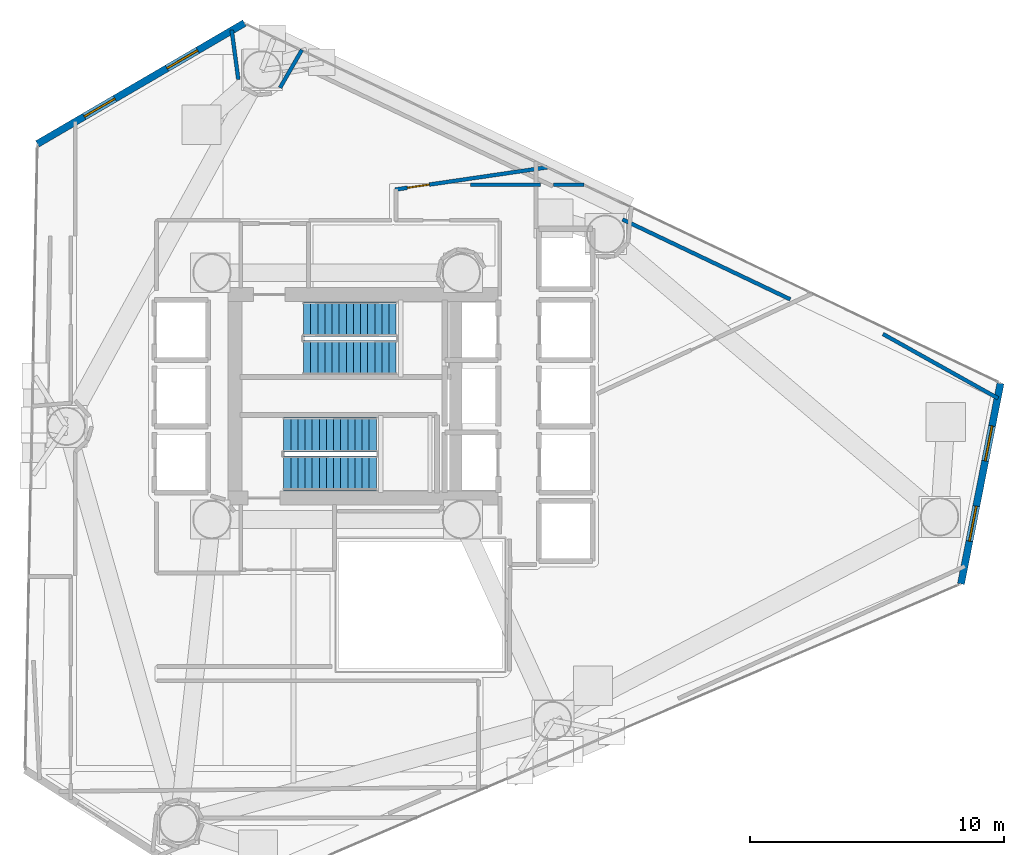
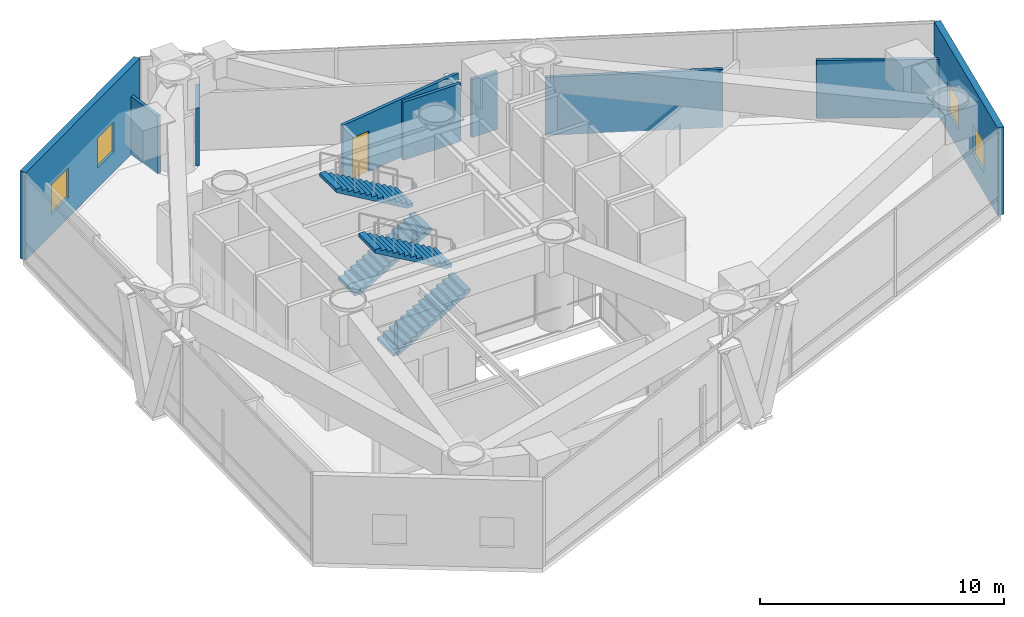
# One storey, part 20 of 22: 9 walls, 4 stair flights, 4 windows, 1 door, 5 openings, 2 elements without a shape of their own.
"""IFC4 building model written with IfcOpenShell, lengths in metres."""

from ifc_helpers import new_model, si_unit, direction, frame, frame_2d, origin, place, context, subcontext, project, spatial, polyline, rectangle, outline, extrude, material, layer, layer_set, type_object, element, fill, aggregate, save


model = new_model("IFC4")

# Units and contexts
model_context = context("Model", 3, precision=1e-05, world=origin(), true_north=direction((0.0, 1.0)))
body_context = subcontext(model_context, "Body", "Model", "MODEL_VIEW")
ifc_project = project(units=[si_unit("LENGTHUNIT", "METRE"), si_unit("AREAUNIT", "SQUARE_METRE"), si_unit("VOLUMEUNIT", "CUBIC_METRE"), si_unit("PLANEANGLEUNIT", "RADIAN"), si_unit("MASSUNIT", "GRAM", prefix="KILO")], contexts=[model_context])

# Site, building, storey
site_placement = place(None, origin())
site = spatial("IfcSite", under=ifc_project, at=site_placement, CompositionType="ELEMENT")
building_placement = place(site_placement, origin())
building = spatial("IfcBuilding", under=site, at=building_placement, Name="Qianvela Tower", CompositionType="ELEMENT")
storey_placement = place(building_placement, frame((0.0, 0.0, 138.5)))
storey = spatial("IfcBuildingStorey", under=building, at=storey_placement, Name="L35", CompositionType="ELEMENT", Elevation=138.5)

# Wall, openings, windows
ifc_material_1 = material(Name="Terracotta Cladding on Concrete C40", Category="masonry")
ifc_layer_1 = layer(ifc_material_1, 0.280029296875)
ifc_layer_set_1 = layer_set([ifc_layer_1], Name="Terracotta Cladding on Concrete C40")
wall_type_1 = type_object("IfcWallType", Name="TERRACOTTA-WALL-280", PredefinedType="SOLIDWALL", material=ifc_layer_set_1)
wall_1_placement = place(storey_placement, frame((58.03466796875, 21.3251953125, 0.0), z_axis=(0.0, 0.0, 1.0), x_axis=(0.193252046098, 0.981149145991, 0.0)))
wall_1 = element("IfcWall", 1, at=wall_1_placement, inside=storey, type_object=wall_type_1, Name="L35 Terracotta Chamfer Facet Wall 1", PredefinedType="SOLIDWALL", context=body_context, shape_type="SweptSolid", body=[
    extrude(rectangle(XDim=8.03466796875, YDim=0.280029296875, at=frame_2d((4.017333984375, 0.0))), origin(), (0.0, 0.0, 1.0), 4.3798828125),
])
opening_1_placement = place(wall_1_placement, frame((1.71044921875, 0.0, 1.0)))
opening_1 = element("IfcOpeningElement", 2, at=opening_1_placement, cuts=wall_1, Name="Opening W-06", PredefinedType="OPENING", context=body_context, shape_type="SweptSolid", body=[
    extrude(rectangle(XDim=1.39990234375, YDim=1.5, at=frame_2d((0.699951171875, 0.75))), frame((0.0, 0.14990234375, 0.0), z_axis=(0.0, -1.0, 0.0), x_axis=(1.0, 0.0, 0.0)), (0.0, 0.0, 1.0), 0.300048828125),
])
opening_2_placement = place(wall_1_placement, frame((4.92431640625, 0.0, 1.0)))
opening_2 = element("IfcOpeningElement", 3, at=opening_2_placement, cuts=wall_1, Name="Opening W-06", PredefinedType="OPENING", context=body_context, shape_type="SweptSolid", body=[
    extrude(rectangle(XDim=1.39990234375, YDim=1.5, at=frame_2d((0.699951171875, 0.75))), frame((0.0, 0.14990234375, 0.0), z_axis=(0.0, -1.0, 0.0), x_axis=(1.0, 0.0, 0.0)), (0.0, 0.0, 1.0), 0.300048828125),
])
ifc_material_2 = material(Name="Thermally Broken Aluminium and Low-E Glass", Category="aluminium")
window_type = type_object("IfcWindowType", Name="WIN-REF-1400x1500", PartitioningType="SINGLE_PANEL", PredefinedType="WINDOW", material=ifc_material_2)
window_1_placement = place(opening_1_placement, origin())
window_1 = element("IfcWindow", 4, at=window_1_placement, inside=storey, type_object=window_type, Name="L35 Chamfer Facet Window 1.1", OverallHeight=1.5, OverallWidth=1.39990234375, PartitioningType="SINGLE_PANEL", PredefinedType="WINDOW", context=body_context, shape_type="SweptSolid", body=[
    extrude(rectangle(XDim=1.39990234375, YDim=1.5, at=frame_2d((0.699951171875, 0.75))), frame((0.0, 0.030029296875, 0.0), z_axis=(0.0, -1.0, 0.0), x_axis=(1.0, 0.0, 0.0)), (0.0, 0.0, 1.0), 0.06005859375),
])
fill(opening_1, window_1)
window_2_placement = place(opening_2_placement, origin())
window_2 = element("IfcWindow", 5, at=window_2_placement, inside=storey, type_object=window_type, Name="L35 Chamfer Facet Window 1.2", OverallHeight=1.5, OverallWidth=1.39990234375, PartitioningType="SINGLE_PANEL", PredefinedType="WINDOW", context=body_context, shape_type="SweptSolid", body=[
    extrude(rectangle(XDim=1.39990234375, YDim=1.5, at=frame_2d((0.699951171875, 0.75))), frame((0.0, 0.030029296875, 0.0), z_axis=(0.0, -1.0, 0.0), x_axis=(1.0, 0.0, 0.0)), (0.0, 0.0, 1.0), 0.06005859375),
])
fill(opening_2, window_2)

wall_2_placement = place(storey_placement, frame((29.87841796875, 43.36181640625, 0.0), z_axis=(0.0, 0.0, 1.0), x_axis=(-0.863698041635, -0.504009615857, 0.0)))
wall_2 = element("IfcWall", 6, at=wall_2_placement, inside=storey, type_object=wall_type_1, Name="L35 Terracotta Chamfer Facet Wall 3", PredefinedType="SOLIDWALL", context=body_context, shape_type="SweptSolid", body=[
    extrude(rectangle(XDim=9.419189453125, YDim=0.280029296875, at=frame_2d((4.70947265625, 0.0))), origin(), (0.0, 0.0, 1.0), 4.3798828125),
])
opening_3_placement = place(wall_2_placement, frame((2.125732421875, 0.0, 1.0)))
opening_3 = element("IfcOpeningElement", 7, at=opening_3_placement, cuts=wall_2, Name="Opening W-06", PredefinedType="OPENING", context=body_context, shape_type="SweptSolid", body=[
    extrude(rectangle(XDim=1.39990234375, YDim=1.5, at=frame_2d((0.699951171875, 0.75))), frame((0.0, 0.14990234375, 0.0), z_axis=(0.0, -1.0, 0.0), x_axis=(1.0, 0.0, 0.0)), (0.0, 0.0, 1.0), 0.300048828125),
])
opening_4_placement = place(wall_2_placement, frame((5.893310546875, 0.0, 1.0)))
opening_4 = element("IfcOpeningElement", 8, at=opening_4_placement, cuts=wall_2, Name="Opening W-06", PredefinedType="OPENING", context=body_context, shape_type="SweptSolid", body=[
    extrude(rectangle(XDim=1.39990234375, YDim=1.5, at=frame_2d((0.699951171875, 0.75))), frame((0.0, 0.14990234375, 0.0), z_axis=(0.0, -1.0, 0.0), x_axis=(1.0, 0.0, 0.0)), (0.0, 0.0, 1.0), 0.300048828125),
])
window_3_placement = place(opening_3_placement, origin())
window_3 = element("IfcWindow", 9, at=window_3_placement, inside=storey, type_object=window_type, Name="L35 Chamfer Facet Window 3.1", OverallHeight=1.5, OverallWidth=1.39990234375, PartitioningType="SINGLE_PANEL", PredefinedType="WINDOW", context=body_context, shape_type="SweptSolid", body=[
    extrude(rectangle(XDim=1.39990234375, YDim=1.5, at=frame_2d((0.699951171875, 0.75))), frame((0.0, 0.030029296875, 0.0), z_axis=(0.0, -1.0, 0.0), x_axis=(1.0, 0.0, 0.0)), (0.0, 0.0, 1.0), 0.06005859375),
])
fill(opening_3, window_3)
window_4_placement = place(opening_4_placement, origin())
window_4 = element("IfcWindow", 10, at=window_4_placement, inside=storey, type_object=window_type, Name="L35 Chamfer Facet Window 3.2", OverallHeight=1.5, OverallWidth=1.39990234375, PartitioningType="SINGLE_PANEL", PredefinedType="WINDOW", context=body_context, shape_type="SweptSolid", body=[
    extrude(rectangle(XDim=1.39990234375, YDim=1.5, at=frame_2d((0.699951171875, 0.75))), frame((0.0, 0.030029296875, 0.0), z_axis=(0.0, -1.0, 0.0), x_axis=(1.0, 0.0, 0.0)), (0.0, 0.0, 1.0), 0.06005859375),
])
fill(opening_4, window_4)

# Wall, opening, door
ifc_material_3 = material(Name="Fire-Rated Acoustic Gypsum Board")
ifc_layer_2 = layer(ifc_material_3, 0.14990234375)
ifc_layer_set_2 = layer_set([ifc_layer_2], Name="Fire-Rated Acoustic Gypsum Board")
wall_type_2 = type_object("IfcWallType", Name="WT-CORR-150", PredefinedType="PARTITIONING", material=ifc_layer_set_2)
wall_3_placement = place(storey_placement, frame((35.800048828125, 36.819091796875, 0.0), z_axis=(0.0, 0.0, 1.0), x_axis=(0.98946360637, 0.144781807109, 0.0)))
wall_3 = element("IfcWall", 11, at=wall_3_placement, inside=storey, type_object=wall_type_2, Name="L35 Partition 13", PredefinedType="PARTITIONING", context=body_context, shape_type="SweptSolid", body=[
    extrude(rectangle(XDim=6.040283203125, YDim=0.14990234375, at=frame_2d((3.02001953125, 0.0))), origin(), (0.0, 0.0, 1.0), 2.89990234375),
])
opening_5_placement = place(wall_3_placement, frame((0.489990234375, 0.0, 0.0)))
opening_5 = element("IfcOpeningElement", 12, at=opening_5_placement, cuts=wall_3, Name="Opening D-LB2", PredefinedType="OPENING", context=body_context, shape_type="SweptSolid", body=[
    extrude(rectangle(XDim=0.860107421875, YDim=2.050048828125, at=frame_2d((0.43017578125, 1.02490234375))), frame((0.0, 0.0849609375, 0.0), z_axis=(0.0, -1.0, 0.0), x_axis=(1.0, 0.0, 0.0)), (0.0, 0.0, 1.0), 0.169921875),
])
ifc_material_4 = material(Name="Insulated Steel Fire Door Q355B", Category="steel")
door_type = type_object("IfcDoorType", Name="DT-LOBBY-FD90-860", OperationType="NOTDEFINED", PredefinedType="DOOR", material=ifc_material_4)
door_placement = place(opening_5_placement, origin())
door = element("IfcDoor", 13, at=door_placement, inside=storey, type_object=door_type, Name="L35 Door L35 Lift Lobby to L35 Mechanical Plant Corridor", OperationType="SINGLE_SWING_LEFT", OverallHeight=2.050048828125, OverallWidth=0.860107421875, PredefinedType="DOOR", context=body_context, shape_type="SweptSolid", body=[
    extrude(rectangle(XDim=0.860107421875, YDim=2.050048828125, at=frame_2d((0.43017578125, 1.02490234375))), frame((0.0, 0.02490234375, 0.0), z_axis=(0.0, -1.0, 0.0), x_axis=(1.0, 0.0, 0.0)), (0.0, 0.0, 1.0), 0.050048828125),
])
fill(opening_5, door)

# Walls
wall_4_placement = place(storey_placement, frame((29.376708984375, 43.09033203125, 0.0), z_axis=(0.0, 0.0, 1.0), x_axis=(0.132775015487, -0.991146202769, 0.0)))
element("IfcWall", 14, at=wall_4_placement, inside=storey, type_object=wall_type_2, Name="L35 Partition 44", PredefinedType="PARTITIONING", context=body_context, shape_type="SweptSolid", body=[
    extrude(rectangle(XDim=1.9619140625, YDim=0.14990234375, at=frame_2d((0.98095703125, 0.0))), origin(), (0.0, 0.0, 1.0), 2.89990234375),
])
wall_5_placement = place(storey_placement, frame((31.276611328125, 40.819580078125, 0.0), z_axis=(0.0, 0.0, 1.0), x_axis=(0.499652778, 0.866225779711, 0.0)))
element("IfcWall", 15, at=wall_5_placement, inside=storey, type_object=wall_type_2, Name="L35 Partition 47", PredefinedType="PARTITIONING", context=body_context, shape_type="SweptSolid", body=[
    extrude(rectangle(XDim=1.718994140625, YDim=0.14990234375, at=frame_2d((0.859375, 0.0))), origin(), (0.0, 0.0, 1.0), 2.89990234375),
])
wall_6_placement = place(storey_placement, frame((41.509521484375, 37.010986328125, 0.0), z_axis=(0.0, 0.0, 1.0), x_axis=(-1.0, 0.0, 0.0)))
element("IfcWall", 16, at=wall_6_placement, inside=storey, type_object=wall_type_2, Name="L35 Partition 49 seg 1", PredefinedType="PARTITIONING", context=body_context, shape_type="SweptSolid", body=[
    extrude(rectangle(XDim=2.739501953125, YDim=0.14990234375, at=frame_2d((1.36962890625, 0.0))), origin(), (0.0, 0.0, 1.0), 2.89990234375),
])
wall_7_placement = place(storey_placement, frame((54.969970703125, 31.142333984375, 0.0), z_axis=(0.0, 0.0, 1.0), x_axis=(0.87296710105, -0.487779089839, 0.0)))
element("IfcWall", 17, at=wall_7_placement, inside=storey, type_object=wall_type_2, Name="L35 Partition 72 seg 1", PredefinedType="PARTITIONING", context=body_context, shape_type="SweptSolid", body=[
    extrude(rectangle(XDim=5.17822265625, YDim=0.14990234375, at=frame_2d((2.589111328125, 0.0))), origin(), (0.0, 0.0, 1.0), 2.89990234375),
])
wall_8_placement = place(storey_placement, frame((44.732421875, 35.647216796875, 0.0), z_axis=(0.0, 0.0, 1.0), x_axis=(0.902790723748, -0.430080119414, 0.0)))
element("IfcWall", 18, at=wall_8_placement, inside=storey, type_object=wall_type_2, Name="L35 Partition 100", PredefinedType="PARTITIONING", context=body_context, shape_type="SweptSolid", body=[
    extrude(rectangle(XDim=7.3076171875, YDim=0.14990234375, at=frame_2d((3.65380859375, 0.0))), origin(), (0.0, 0.0, 1.0), 2.89990234375),
])
wall_9_placement = place(storey_placement, frame((43.229248046875, 37.010986328125, 0.0), z_axis=(0.0, 0.0, 1.0), x_axis=(-1.0, 0.0, 0.0)))
element("IfcWall", 19, at=wall_9_placement, inside=storey, type_object=wall_type_2, Name="L35 Partition 49 seg 1 trim 1", PredefinedType="PARTITIONING", context=body_context, shape_type="SweptSolid", body=[
    extrude(rectangle(XDim=1.20751953125, YDim=0.14990234375, at=frame_2d((0.603759765625, 0.0))), origin(), (0.0, 0.0, 1.0), 2.89990234375),
])

# Stair, stair flights
ifc_material_5 = material(Name="Concrete C40", Category="concrete")
stair_type = type_object("IfcStairType", Name="ST-DOGLEG-1350-R164-N28", PredefinedType="HALF_TURN_STAIR", material=ifc_material_5)
stair_1_placement = place(storey_placement, origin())
stair_1 = element("IfcStair", 20, at=stair_1_placement, inside=storey, type_object=stair_type, Name="L35 Smoke-Proof Core Stair ST-1", PredefinedType="HALF_TURN_STAIR")
ifc_material_6 = material(Name="Concrete C40", Category="concrete")
stair_flight_type = type_object("IfcStairFlightType", Name="STF-STRAIGHT-R164-P14", PredefinedType="STRAIGHT", material=ifc_material_6)
stair_flight_1_placement = place(storey_placement, frame((32.199951171875, 30.215087890625, 0.0), z_axis=(0.0, 0.0, 1.0), x_axis=(1.0, 0.0, 0.0)))
stair_flight_1 = element("IfcStairFlight", 21, at=stair_flight_1_placement, type_object=stair_flight_type, Name="ST-1 flight 1", NumberOfRisers=14, NumberOfTreads=13, PredefinedType="STRAIGHT", RiserHeight=0.164285714, TreadLength=0.28, context=body_context, shape_type="SweptSolid", body=[
    extrude(outline(polyline([(0.0, 0.0), (0.0, 0.164306640625), (0.280029296875, 0.164306640625), (0.280029296875, 0.32861328125), (0.56005859375, 0.32861328125), (0.56005859375, 0.492919921875), (0.840087890625, 0.492919921875), (0.840087890625, 0.6572265625), (1.1201171875, 0.6572265625), (1.1201171875, 0.821533203125), (1.39990234375, 0.821533203125), (1.39990234375, 0.985595703125), (1.679931640625, 0.985595703125), (1.679931640625, 1.14990234375), (1.9599609375, 1.14990234375), (1.9599609375, 1.314208984375), (2.239990234375, 1.314208984375), (2.239990234375, 1.478515625), (2.52001953125, 1.478515625), (2.52001953125, 1.642822265625), (2.800048828125, 1.642822265625), (2.800048828125, 1.80712890625), (3.080078125, 1.80712890625), (3.080078125, 1.971435546875), (3.360107421875, 1.971435546875), (3.360107421875, 2.1357421875), (3.639892578125, 2.1357421875), (3.639892578125, 2.300048828125), (3.639892578125, 1.9619140625), (0.296142578125, 0.0), (0.0, 0.0)])), frame((0.0, 0.675048828125, 0.0), z_axis=(0.0, -1.0, 0.0), x_axis=(1.0, 0.0, 0.0)), (0.0, 0.0, 1.0), 1.35009765625),
])
stair_flight_2_placement = place(storey_placement, frame((35.840087890625, 31.72509765625, 2.300048828125), z_axis=(0.0, 0.0, 1.0), x_axis=(-1.0, 0.0, 0.0)))
stair_flight_2 = element("IfcStairFlight", 22, at=stair_flight_2_placement, type_object=stair_flight_type, Name="ST-1 flight 2", NumberOfRisers=14, NumberOfTreads=13, PredefinedType="STRAIGHT", RiserHeight=0.164285714, TreadLength=0.28, context=body_context, shape_type="SweptSolid", body=[
    extrude(outline(polyline([(0.0, 0.0), (0.0, 0.164306640625), (0.280029296875, 0.164306640625), (0.280029296875, 0.32861328125), (0.56005859375, 0.32861328125), (0.56005859375, 0.492919921875), (0.840087890625, 0.492919921875), (0.840087890625, 0.6572265625), (1.1201171875, 0.6572265625), (1.1201171875, 0.821533203125), (1.39990234375, 0.821533203125), (1.39990234375, 0.985595703125), (1.679931640625, 0.985595703125), (1.679931640625, 1.14990234375), (1.9599609375, 1.14990234375), (1.9599609375, 1.314208984375), (2.239990234375, 1.314208984375), (2.239990234375, 1.478515625), (2.52001953125, 1.478515625), (2.52001953125, 1.642822265625), (2.800048828125, 1.642822265625), (2.800048828125, 1.80712890625), (3.080078125, 1.80712890625), (3.080078125, 1.971435546875), (3.360107421875, 1.971435546875), (3.360107421875, 2.1357421875), (3.639892578125, 2.1357421875), (3.639892578125, 2.300048828125), (3.639892578125, 1.9619140625), (0.296142578125, 0.0), (0.0, 0.0)])), frame((0.0, 0.675048828125, 0.0), z_axis=(0.0, -1.0, 0.0), x_axis=(1.0, 0.0, 0.0)), (0.0, 0.0, 1.0), 1.35009765625),
])
aggregate(stair_1, [stair_flight_1, stair_flight_2])

stair_2_placement = place(storey_placement, origin())
stair_2 = element("IfcStair", 23, at=stair_2_placement, inside=storey, type_object=stair_type, Name="L35 Smoke-Proof Core Stair ST-2", PredefinedType="HALF_TURN_STAIR")
stair_flight_3_placement = place(storey_placement, frame((31.419921875, 25.675048828125, 0.0), z_axis=(0.0, 0.0, 1.0), x_axis=(1.0, 0.0, 0.0)))
stair_flight_3 = element("IfcStairFlight", 24, at=stair_flight_3_placement, type_object=stair_flight_type, Name="ST-2 flight 1", NumberOfRisers=14, NumberOfTreads=13, PredefinedType="STRAIGHT", RiserHeight=0.164285714, TreadLength=0.28, context=body_context, shape_type="SweptSolid", body=[
    extrude(outline(polyline([(0.0, 0.0), (0.0, 0.164306640625), (0.280029296875, 0.164306640625), (0.280029296875, 0.32861328125), (0.56005859375, 0.32861328125), (0.56005859375, 0.492919921875), (0.840087890625, 0.492919921875), (0.840087890625, 0.6572265625), (1.1201171875, 0.6572265625), (1.1201171875, 0.821533203125), (1.39990234375, 0.821533203125), (1.39990234375, 0.985595703125), (1.679931640625, 0.985595703125), (1.679931640625, 1.14990234375), (1.9599609375, 1.14990234375), (1.9599609375, 1.314208984375), (2.239990234375, 1.314208984375), (2.239990234375, 1.478515625), (2.52001953125, 1.478515625), (2.52001953125, 1.642822265625), (2.800048828125, 1.642822265625), (2.800048828125, 1.80712890625), (3.080078125, 1.80712890625), (3.080078125, 1.971435546875), (3.360107421875, 1.971435546875), (3.360107421875, 2.1357421875), (3.639892578125, 2.1357421875), (3.639892578125, 2.300048828125), (3.639892578125, 1.9619140625), (0.296142578125, 0.0), (0.0, 0.0)])), frame((0.0, 0.675048828125, 0.0), z_axis=(0.0, -1.0, 0.0), x_axis=(1.0, 0.0, 0.0)), (0.0, 0.0, 1.0), 1.35009765625),
])
stair_flight_4_placement = place(storey_placement, frame((35.06005859375, 27.18505859375, 2.300048828125), z_axis=(0.0, 0.0, 1.0), x_axis=(-1.0, 0.0, 0.0)))
stair_flight_4 = element("IfcStairFlight", 25, at=stair_flight_4_placement, type_object=stair_flight_type, Name="ST-2 flight 2", NumberOfRisers=14, NumberOfTreads=13, PredefinedType="STRAIGHT", RiserHeight=0.164285714, TreadLength=0.28, context=body_context, shape_type="SweptSolid", body=[
    extrude(outline(polyline([(0.0, 0.0), (0.0, 0.164306640625), (0.280029296875, 0.164306640625), (0.280029296875, 0.32861328125), (0.56005859375, 0.32861328125), (0.56005859375, 0.492919921875), (0.840087890625, 0.492919921875), (0.840087890625, 0.6572265625), (1.1201171875, 0.6572265625), (1.1201171875, 0.821533203125), (1.39990234375, 0.821533203125), (1.39990234375, 0.985595703125), (1.679931640625, 0.985595703125), (1.679931640625, 1.14990234375), (1.9599609375, 1.14990234375), (1.9599609375, 1.314208984375), (2.239990234375, 1.314208984375), (2.239990234375, 1.478515625), (2.52001953125, 1.478515625), (2.52001953125, 1.642822265625), (2.800048828125, 1.642822265625), (2.800048828125, 1.80712890625), (3.080078125, 1.80712890625), (3.080078125, 1.971435546875), (3.360107421875, 1.971435546875), (3.360107421875, 2.1357421875), (3.639892578125, 2.1357421875), (3.639892578125, 2.300048828125), (3.639892578125, 1.9619140625), (0.296142578125, 0.0), (0.0, 0.0)])), frame((0.0, 0.675048828125, 0.0), z_axis=(0.0, -1.0, 0.0), x_axis=(1.0, 0.0, 0.0)), (0.0, 0.0, 1.0), 1.35009765625),
])
aggregate(stair_2, [stair_flight_3, stair_flight_4])

save(model, "model.ifc")
